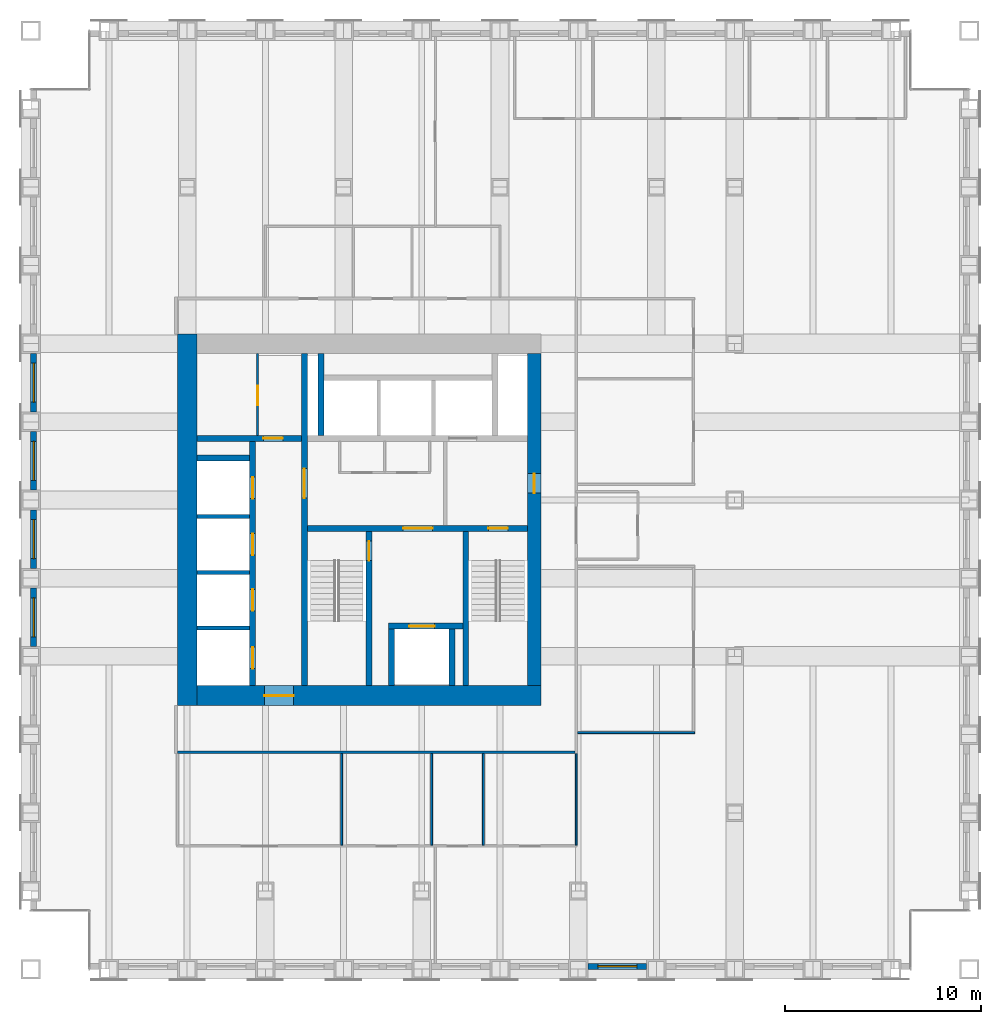
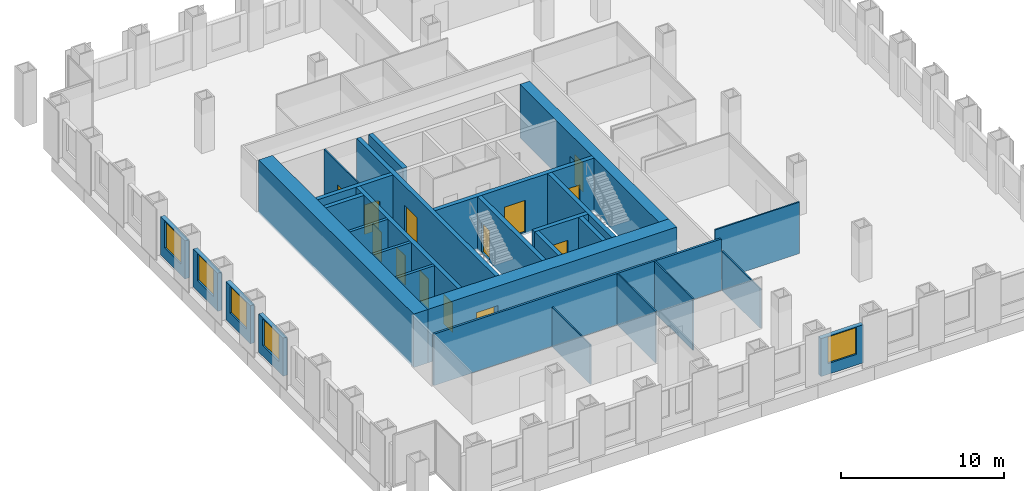
# One storey, part 11 of 15: 29 walls, 13 doors, 5 windows, 18 openings.
"""IFC4 building model written with IfcOpenShell, lengths in metres."""

from ifc_helpers import new_model, si_unit, direction, frame, frame_2d, origin, place, context, subcontext, project, spatial, rectangle, extrude, material, layer, layer_set, type_object, element, fill, save


model = new_model("IFC4")

# Units and contexts
model_context = context("Model", 3, precision=1e-05, world=origin(), true_north=direction((0.0, 1.0)))
body_context = subcontext(model_context, "Body", "Model", "MODEL_VIEW")
ifc_project = project(units=[si_unit("LENGTHUNIT", "METRE"), si_unit("AREAUNIT", "SQUARE_METRE"), si_unit("VOLUMEUNIT", "CUBIC_METRE"), si_unit("PLANEANGLEUNIT", "RADIAN"), si_unit("MASSUNIT", "GRAM", prefix="KILO")], contexts=[model_context])

# Site, building, storey
site_placement = place(None, origin())
site = spatial("IfcSite", under=ifc_project, at=site_placement, CompositionType="ELEMENT")
building_placement = place(site_placement, origin())
building = spatial("IfcBuilding", under=site, at=building_placement, Name="Rimbunsela Tower", CompositionType="ELEMENT")
storey_placement = place(building_placement, frame((0.0, 0.0, 113.39990234375)))
storey = spatial("IfcBuildingStorey", under=building, at=storey_placement, Name="L27", CompositionType="ELEMENT", Elevation=113.39990234375)

# Wall, opening, door
ifc_material_1 = material(Name="Concrete fc' 80 MPa", Category="concrete")
ifc_layer_1 = layer(ifc_material_1, 0.300048828125)
ifc_layer_set_1 = layer_set([ifc_layer_1], Name="Core internal wall 300")
wall_type_1 = type_object("IfcWallType", Name="Core internal wall 300", PredefinedType="SHEAR", material=ifc_layer_set_1)
wall_1_placement = place(storey_placement, frame((24.0, 18.5, -0.14990234375), z_axis=(0.0, 0.0, 1.0), x_axis=(0.0, 1.0, 0.0)))
wall_1 = element("IfcWall", 1, at=wall_1_placement, inside=storey, type_object=wall_type_1, Name="Core wall at stair A", PredefinedType="SHEAR", context=body_context, shape_type="SweptSolid", body=[
    extrude(rectangle(XDim=17.0, YDim=0.300048828125, at=frame_2d((8.5, 0.0))), origin(), (0.0, 0.0, 1.0), 4.0),
])
opening_1_placement = place(wall_1_placement, frame((9.60009765625, 0.0, 0.14990234375)))
opening_1 = element("IfcOpeningElement", 2, at=opening_1_placement, cuts=wall_1, Name="Opening D03", PredefinedType="OPENING", context=body_context, shape_type="SweptSolid", body=[
    extrude(rectangle(XDim=1.5, YDim=2.39990234375, at=frame_2d((0.75, 1.199951171875))), frame((0.0, 0.159912109375, 0.0), z_axis=(0.0, -1.0, 0.0), x_axis=(1.0, 0.0, 0.0)), (0.0, 0.0, 1.0), 0.320068359375),
])
ifc_material_2 = material(Name="Steel door, fire rated", Category="steel")
door_type_1 = type_object("IfcDoorType", Name="Core lobby door 1500", OperationType="DOUBLE_DOOR_DOUBLE_SWING", PredefinedType="DOOR", material=ifc_material_2)
door_1_placement = place(opening_1_placement, origin())
door_1 = element("IfcDoor", 3, at=door_1_placement, inside=storey, type_object=door_type_1, Name="West lobby door", OperationType="DOUBLE_DOOR_DOUBLE_SWING", OverallHeight=2.39990234375, OverallWidth=1.5, PredefinedType="DOOR", context=body_context, shape_type="SweptSolid", body=[
    extrude(rectangle(XDim=1.5, YDim=2.39990234375, at=frame_2d((0.75, 1.199951171875))), frame((0.0, 0.02490234375, 0.0), z_axis=(0.0, -1.0, 0.0), x_axis=(1.0, 0.0, 0.0)), (0.0, 0.0, 1.0), 0.050048828125),
])
fill(opening_1, door_1)

# Wall, openings, doors
wall_2_placement = place(storey_placement, frame((24.14990234375, 26.550048828125, -0.14990234375), z_axis=(0.0, 0.0, 1.0), x_axis=(1.0, 0.0, 0.0)))
wall_2 = element("IfcWall", 4, at=wall_2_placement, inside=storey, type_object=wall_type_1, Name="Core wall lobby south", PredefinedType="SHEAR", context=body_context, shape_type="SweptSolid", body=[
    extrude(rectangle(XDim=11.25, YDim=0.300048828125, at=frame_2d((5.625, 0.0))), origin(), (0.0, 0.0, 1.0), 4.0),
])
opening_2_placement = place(wall_2_placement, frame((9.25, 0.0, 0.14990234375)))
opening_2 = element("IfcOpeningElement", 5, at=opening_2_placement, cuts=wall_2, Name="Opening D01", PredefinedType="OPENING", context=body_context, shape_type="SweptSolid", body=[
    extrude(rectangle(XDim=1.0, YDim=2.199951171875, at=frame_2d((0.5, 1.10009765625))), frame((0.0, 0.159912109375, 0.0), z_axis=(0.0, -1.0, 0.0), x_axis=(1.0, 0.0, 0.0)), (0.0, 0.0, 1.0), 0.320068359375),
])
opening_3_placement = place(wall_2_placement, frame((4.89990234375, 0.0, 0.14990234375)))
opening_3 = element("IfcOpeningElement", 6, at=opening_3_placement, cuts=wall_2, Name="Opening D03", PredefinedType="OPENING", context=body_context, shape_type="SweptSolid", body=[
    extrude(rectangle(XDim=1.5, YDim=2.39990234375, at=frame_2d((0.75, 1.199951171875))), frame((0.0, 0.159912109375, 0.0), z_axis=(0.0, -1.0, 0.0), x_axis=(1.0, 0.0, 0.0)), (0.0, 0.0, 1.0), 0.320068359375),
])
door_2_placement = place(opening_3_placement, origin())
door_2 = element("IfcDoor", 7, at=door_2_placement, inside=storey, type_object=door_type_1, Name="Firefighting lobby door", OperationType="DOUBLE_DOOR_DOUBLE_SWING", OverallHeight=2.39990234375, OverallWidth=1.5, PredefinedType="DOOR", context=body_context, shape_type="SweptSolid", body=[
    extrude(rectangle(XDim=1.5, YDim=2.39990234375, at=frame_2d((0.75, 1.199951171875))), frame((0.0, 0.02490234375, 0.0), z_axis=(0.0, -1.0, 0.0), x_axis=(1.0, 0.0, 0.0)), (0.0, 0.0, 1.0), 0.050048828125),
])
fill(opening_3, door_2)
ifc_material_3 = material(Name="Steel door, fire rated", Category="steel")
door_type_2 = type_object("IfcDoorType", Name="Stair door 1000", OperationType="SINGLE_SWING_RIGHT", PredefinedType="DOOR", material=ifc_material_3)
door_3_placement = place(opening_2_placement, frame((1.0, 0.0, 0.0), z_axis=(0.0, 0.0, 1.0), x_axis=(-1.0, 0.0, 0.0)))
door_3 = element("IfcDoor", 8, at=door_3_placement, inside=storey, type_object=door_type_2, Name="Stair B door", OperationType="SINGLE_SWING_RIGHT", OverallHeight=2.199951171875, OverallWidth=1.0, PredefinedType="DOOR", context=body_context, shape_type="SweptSolid", body=[
    extrude(rectangle(XDim=1.0, YDim=2.199951171875, at=frame_2d((0.5, 1.10009765625))), frame((0.0, 0.02490234375, 0.0), z_axis=(0.0, -1.0, 0.0), x_axis=(1.0, 0.0, 0.0)), (0.0, 0.0, 1.0), 0.050048828125),
])
fill(opening_2, door_3)

# Wall, opening, door
wall_3_placement = place(storey_placement, frame((27.300048828125, 18.5, -0.14990234375), z_axis=(0.0, 0.0, 1.0), x_axis=(0.0, 1.0, 0.0)))
wall_3 = element("IfcWall", 9, at=wall_3_placement, inside=storey, type_object=wall_type_1, Name="Stair A enclosure", PredefinedType="SHEAR", context=body_context, shape_type="SweptSolid", body=[
    extrude(rectangle(XDim=7.89990234375, YDim=0.300048828125, at=frame_2d((3.949951171875, 0.0))), origin(), (0.0, 0.0, 1.0), 4.0),
])
opening_4_placement = place(wall_3_placement, frame((6.39990234375, 0.0, 0.14990234375)))
opening_4 = element("IfcOpeningElement", 10, at=opening_4_placement, cuts=wall_3, Name="Opening D01", PredefinedType="OPENING", context=body_context, shape_type="SweptSolid", body=[
    extrude(rectangle(XDim=1.0, YDim=2.199951171875, at=frame_2d((0.5, 1.10009765625))), frame((0.0, 0.159912109375, 0.0), z_axis=(0.0, -1.0, 0.0), x_axis=(1.0, 0.0, 0.0)), (0.0, 0.0, 1.0), 0.320068359375),
])
door_4_placement = place(opening_4_placement, origin())
door_4 = element("IfcDoor", 11, at=door_4_placement, inside=storey, type_object=door_type_2, Name="Stair A door", OperationType="SINGLE_SWING_RIGHT", OverallHeight=2.199951171875, OverallWidth=1.0, PredefinedType="DOOR", context=body_context, shape_type="SweptSolid", body=[
    extrude(rectangle(XDim=1.0, YDim=2.199951171875, at=frame_2d((0.5, 1.10009765625))), frame((0.0, 0.02490234375, 0.0), z_axis=(0.0, -1.0, 0.0), x_axis=(1.0, 0.0, 0.0)), (0.0, 0.0, 1.0), 0.050048828125),
])
fill(opening_4, door_4)

# Walls
wall_4_placement = place(storey_placement, frame((32.25, 18.5, -0.14990234375), z_axis=(0.0, 0.0, 1.0), x_axis=(0.0, 1.0, 0.0)))
element("IfcWall", 12, at=wall_4_placement, inside=storey, type_object=wall_type_1, Name="Stair B enclosure", PredefinedType="SHEAR", context=body_context, shape_type="SweptSolid", body=[
    extrude(rectangle(XDim=7.89990234375, YDim=0.300048828125, at=frame_2d((3.949951171875, 0.0))), origin(), (0.0, 0.0, 1.0), 4.0),
])
for number, where, z_axis, x_axis, name in (
    (13, (28.449951171875, 18.5, -0.14990234375), (0.0, 0.0, 1.0), (0.0, 1.0, 0.0), "Firefighting lift shaft west"),
    (14, (31.550048828125, 18.5, -0.14990234375), (0.0, 0.0, 1.0), (0.0, 1.0, 0.0), "Firefighting lift shaft east"),
):
    element("IfcWall", number, at=place(storey_placement, frame(where, z_axis=z_axis, x_axis=x_axis)), inside=storey, type_object=wall_type_1, Name=name, PredefinedType="SHEAR", context=body_context, shape_type="SweptSolid", body=[
        extrude(rectangle(XDim=2.89990234375, YDim=0.300048828125, at=frame_2d((1.449951171875, 0.0))), origin(), (0.0, 0.0, 1.0), 4.0),
    ])

# Wall, opening, door
wall_5_placement = place(storey_placement, frame((28.300048828125, 21.550048828125, -0.14990234375), z_axis=(0.0, 0.0, 1.0), x_axis=(1.0, 0.0, 0.0)))
wall_5 = element("IfcWall", 15, at=wall_5_placement, inside=storey, type_object=wall_type_1, Name="Firefighting lift shaft front", PredefinedType="SHEAR", context=body_context, shape_type="SweptSolid", body=[
    extrude(rectangle(XDim=3.800048828125, YDim=0.300048828125, at=frame_2d((1.89990234375, 0.0))), origin(), (0.0, 0.0, 1.0), 4.0),
])
opening_5_placement = place(wall_5_placement, frame((1.050048828125, 0.0, 0.14990234375)))
opening_5 = element("IfcOpeningElement", 16, at=opening_5_placement, cuts=wall_5, Name="Opening LD2", PredefinedType="OPENING", context=body_context, shape_type="SweptSolid", body=[
    extrude(rectangle(XDim=1.300048828125, YDim=2.39990234375, at=frame_2d((0.64990234375, 1.199951171875))), frame((0.0, 0.159912109375, 0.0), z_axis=(0.0, -1.0, 0.0), x_axis=(1.0, 0.0, 0.0)), (0.0, 0.0, 1.0), 0.320068359375),
])
ifc_material_4 = material(Name="Steel door, fire rated", Category="steel")
door_type_3 = type_object("IfcDoorType", Name="Lift landing door 1300", OperationType="DOUBLE_DOOR_SLIDING", PredefinedType="DOOR", material=ifc_material_4)
door_5_placement = place(opening_5_placement, origin())
door_5 = element("IfcDoor", 17, at=door_5_placement, inside=storey, type_object=door_type_3, Name="Lift landing door FL1", OperationType="DOUBLE_DOOR_SLIDING", OverallHeight=2.39990234375, OverallWidth=1.300048828125, PredefinedType="DOOR", context=body_context, shape_type="SweptSolid", body=[
    extrude(rectangle(XDim=1.300048828125, YDim=2.39990234375, at=frame_2d((0.64990234375, 1.199951171875))), frame((0.0, 0.02490234375, 0.0), z_axis=(0.0, -1.0, 0.0), x_axis=(1.0, 0.0, 0.0)), (0.0, 0.0, 1.0), 0.050048828125),
])
fill(opening_5, door_5)

# Wall, openings, doors
wall_6_placement = place(storey_placement, frame((21.35009765625, 18.5, -0.14990234375), z_axis=(0.0, 0.0, 1.0), x_axis=(0.0, 1.0, 0.0)))
wall_6 = element("IfcWall", 18, at=wall_6_placement, inside=storey, type_object=wall_type_1, Name="Lift shaft front west", PredefinedType="SHEAR", context=body_context, shape_type="SweptSolid", body=[
    extrude(rectangle(XDim=12.5, YDim=0.300048828125, at=frame_2d((6.25, 0.0))), origin(), (0.0, 0.0, 1.0), 4.0),
])
opening_6_placement = place(wall_6_placement, frame((0.875, 0.0, 0.14990234375)))
opening_6 = element("IfcOpeningElement", 19, at=opening_6_placement, cuts=wall_6, Name="Opening LD1", PredefinedType="OPENING", context=body_context, shape_type="SweptSolid", body=[
    extrude(rectangle(XDim=1.10009765625, YDim=2.199951171875, at=frame_2d((0.550048828125, 1.10009765625))), frame((0.0, 0.159912109375, 0.0), z_axis=(0.0, -1.0, 0.0), x_axis=(1.0, 0.0, 0.0)), (0.0, 0.0, 1.0), 0.320068359375),
])
opening_7_placement = place(wall_6_placement, frame((3.824951171875, 0.0, 0.14990234375)))
opening_7 = element("IfcOpeningElement", 20, at=opening_7_placement, cuts=wall_6, Name="Opening LD1", PredefinedType="OPENING", context=body_context, shape_type="SweptSolid", body=[
    extrude(rectangle(XDim=1.10009765625, YDim=2.199951171875, at=frame_2d((0.550048828125, 1.10009765625))), frame((0.0, 0.159912109375, 0.0), z_axis=(0.0, -1.0, 0.0), x_axis=(1.0, 0.0, 0.0)), (0.0, 0.0, 1.0), 0.320068359375),
])
opening_8_placement = place(wall_6_placement, frame((6.675048828125, 0.0, 0.14990234375)))
opening_8 = element("IfcOpeningElement", 21, at=opening_8_placement, cuts=wall_6, Name="Opening LD1", PredefinedType="OPENING", context=body_context, shape_type="SweptSolid", body=[
    extrude(rectangle(XDim=1.10009765625, YDim=2.199951171875, at=frame_2d((0.550048828125, 1.10009765625))), frame((0.0, 0.159912109375, 0.0), z_axis=(0.0, -1.0, 0.0), x_axis=(1.0, 0.0, 0.0)), (0.0, 0.0, 1.0), 0.320068359375),
])
opening_9_placement = place(wall_6_placement, frame((9.574951171875, 0.0, 0.14990234375)))
opening_9 = element("IfcOpeningElement", 22, at=opening_9_placement, cuts=wall_6, Name="Opening LD1", PredefinedType="OPENING", context=body_context, shape_type="SweptSolid", body=[
    extrude(rectangle(XDim=1.10009765625, YDim=2.199951171875, at=frame_2d((0.550048828125, 1.10009765625))), frame((0.0, 0.159912109375, 0.0), z_axis=(0.0, -1.0, 0.0), x_axis=(1.0, 0.0, 0.0)), (0.0, 0.0, 1.0), 0.320068359375),
])
ifc_material_5 = material(Name="Steel door, fire rated", Category="steel")
door_type_4 = type_object("IfcDoorType", Name="Lift landing door 1100", OperationType="DOUBLE_DOOR_SLIDING", PredefinedType="DOOR", material=ifc_material_5)
door_6_placement = place(opening_6_placement, origin())
door_6 = element("IfcDoor", 23, at=door_6_placement, inside=storey, type_object=door_type_4, Name="Lift landing door ML1", OperationType="DOUBLE_DOOR_SLIDING", OverallHeight=2.199951171875, OverallWidth=1.10009765625, PredefinedType="DOOR", context=body_context, shape_type="SweptSolid", body=[
    extrude(rectangle(XDim=1.10009765625, YDim=2.199951171875, at=frame_2d((0.550048828125, 1.10009765625))), frame((0.0, 0.02490234375, 0.0), z_axis=(0.0, -1.0, 0.0), x_axis=(1.0, 0.0, 0.0)), (0.0, 0.0, 1.0), 0.050048828125),
])
fill(opening_6, door_6)
door_7_placement = place(opening_7_placement, origin())
door_7 = element("IfcDoor", 24, at=door_7_placement, inside=storey, type_object=door_type_4, Name="Lift landing door ML2", OperationType="DOUBLE_DOOR_SLIDING", OverallHeight=2.199951171875, OverallWidth=1.10009765625, PredefinedType="DOOR", context=body_context, shape_type="SweptSolid", body=[
    extrude(rectangle(XDim=1.10009765625, YDim=2.199951171875, at=frame_2d((0.550048828125, 1.10009765625))), frame((0.0, 0.02490234375, 0.0), z_axis=(0.0, -1.0, 0.0), x_axis=(1.0, 0.0, 0.0)), (0.0, 0.0, 1.0), 0.050048828125),
])
fill(opening_7, door_7)
door_8_placement = place(opening_8_placement, origin())
door_8 = element("IfcDoor", 25, at=door_8_placement, inside=storey, type_object=door_type_4, Name="Lift landing door ML3", OperationType="DOUBLE_DOOR_SLIDING", OverallHeight=2.199951171875, OverallWidth=1.10009765625, PredefinedType="DOOR", context=body_context, shape_type="SweptSolid", body=[
    extrude(rectangle(XDim=1.10009765625, YDim=2.199951171875, at=frame_2d((0.550048828125, 1.10009765625))), frame((0.0, 0.02490234375, 0.0), z_axis=(0.0, -1.0, 0.0), x_axis=(1.0, 0.0, 0.0)), (0.0, 0.0, 1.0), 0.050048828125),
])
fill(opening_8, door_8)
door_9_placement = place(opening_9_placement, origin())
door_9 = element("IfcDoor", 26, at=door_9_placement, inside=storey, type_object=door_type_4, Name="Lift landing door ML4", OperationType="DOUBLE_DOOR_SLIDING", OverallHeight=2.199951171875, OverallWidth=1.10009765625, PredefinedType="DOOR", context=body_context, shape_type="SweptSolid", body=[
    extrude(rectangle(XDim=1.10009765625, YDim=2.199951171875, at=frame_2d((0.550048828125, 1.10009765625))), frame((0.0, 0.02490234375, 0.0), z_axis=(0.0, -1.0, 0.0), x_axis=(1.0, 0.0, 0.0)), (0.0, 0.0, 1.0), 0.050048828125),
])
fill(opening_9, door_9)

# Wall, opening, door
wall_7_placement = place(storey_placement, frame((18.5, 31.14990234375, -0.14990234375), z_axis=(0.0, 0.0, 1.0), x_axis=(1.0, 0.0, 0.0)))
wall_7 = element("IfcWall", 27, at=wall_7_placement, inside=storey, type_object=wall_type_1, Name="Store wall", PredefinedType="SHEAR", context=body_context, shape_type="SweptSolid", body=[
    extrude(rectangle(XDim=5.35009765625, YDim=0.300048828125, at=frame_2d((2.675048828125, 0.0))), origin(), (0.0, 0.0, 1.0), 4.0),
])
opening_10_placement = place(wall_7_placement, frame((3.39990234375, 0.0, 0.14990234375)))
opening_10 = element("IfcOpeningElement", 28, at=opening_10_placement, cuts=wall_7, Name="Opening D19", PredefinedType="OPENING", context=body_context, shape_type="SweptSolid", body=[
    extrude(rectangle(XDim=1.0, YDim=2.199951171875, at=frame_2d((0.5, 1.10009765625))), frame((0.0, 0.159912109375, 0.0), z_axis=(0.0, -1.0, 0.0), x_axis=(1.0, 0.0, 0.0)), (0.0, 0.0, 1.0), 0.320068359375),
])
ifc_material_6 = material(Name="Steel door, fire rated", Category="steel")
door_type_5 = type_object("IfcDoorType", Name="Service door 1000 fire rated", OperationType="SINGLE_SWING_LEFT", PredefinedType="DOOR", material=ifc_material_6)
door_10_placement = place(opening_10_placement, origin())
door_10 = element("IfcDoor", 29, at=door_10_placement, inside=storey, type_object=door_type_5, Name="Staff pantry door", OperationType="SINGLE_SWING_LEFT", OverallHeight=2.199951171875, OverallWidth=1.0, PredefinedType="DOOR", context=body_context, shape_type="SweptSolid", body=[
    extrude(rectangle(XDim=1.0, YDim=2.199951171875, at=frame_2d((0.5, 1.10009765625))), frame((0.0, 0.02490234375, 0.0), z_axis=(0.0, -1.0, 0.0), x_axis=(1.0, 0.0, 0.0)), (0.0, 0.0, 1.0), 0.050048828125),
])
fill(opening_10, door_10)

# Walls
wall_8_placement = place(storey_placement, frame((18.5, 30.14990234375, -0.14990234375), z_axis=(0.0, 0.0, 1.0), x_axis=(1.0, 0.0, 0.0)))
element("IfcWall", 30, at=wall_8_placement, inside=storey, type_object=wall_type_1, Name="Lift shaft rear west", PredefinedType="SHEAR", context=body_context, shape_type="SweptSolid", body=[
    extrude(rectangle(XDim=2.699951171875, YDim=0.300048828125, at=frame_2d((1.35009765625, 0.0))), origin(), (0.0, 0.0, 1.0), 4.0),
])
wall_9_placement = place(storey_placement, frame((24.85009765625, 31.300048828125, -0.14990234375), z_axis=(0.0, 0.0, 1.0), x_axis=(0.0, 1.0, 0.0)))
element("IfcWall", 31, at=wall_9_placement, inside=storey, type_object=wall_type_1, Name="Riser wall", PredefinedType="SHEAR", context=body_context, shape_type="SweptSolid", body=[
    extrude(rectangle(XDim=4.199951171875, YDim=0.300048828125, at=frame_2d((2.10009765625, 0.0))), origin(), (0.0, 0.0, 1.0), 4.0),
])

# Wall, opening, door
ifc_material_7 = material(Name="Concrete blockwork", Category="masonry")
ifc_layer_2 = layer(ifc_material_7, 0.10009765625)
ifc_layer_set_2 = layer_set([ifc_layer_2], Name="Core room partition 100")
wall_type_2 = type_object("IfcWallType", Name="Core room partition 100", PredefinedType="PARTITIONING", material=ifc_layer_set_2)
wall_10_placement = place(storey_placement, frame((21.60009765625, 31.300048828125, 0.0), z_axis=(0.0, 0.0, 1.0), x_axis=(0.0, 1.0, 0.0)))
wall_10 = element("IfcWall", 32, at=wall_10_placement, inside=storey, type_object=wall_type_2, Name="Housekeeping store wall", PredefinedType="PARTITIONING", context=body_context, shape_type="SweptSolid", body=[
    extrude(rectangle(XDim=4.199951171875, YDim=0.10009765625, at=frame_2d((2.10009765625, 0.0))), origin(), (0.0, 0.0, 1.0), 3.85009765625),
])
opening_11_placement = place(wall_10_placement, frame((1.550048828125, 0.0, 0.0)))
opening_11 = element("IfcOpeningElement", 33, at=opening_11_placement, cuts=wall_10, Name="Opening D19", PredefinedType="OPENING", context=body_context, shape_type="SweptSolid", body=[
    extrude(rectangle(XDim=1.0, YDim=2.199951171875, at=frame_2d((0.5, 1.10009765625))), frame((0.0, 0.06005859375, 0.0), z_axis=(0.0, -1.0, 0.0), x_axis=(1.0, 0.0, 0.0)), (0.0, 0.0, 1.0), 0.1201171875),
])
door_11_placement = place(opening_11_placement, origin())
door_11 = element("IfcDoor", 34, at=door_11_placement, inside=storey, type_object=door_type_5, Name="Housekeeping store door", OperationType="SINGLE_SWING_LEFT", OverallHeight=2.199951171875, OverallWidth=1.0, PredefinedType="DOOR", context=body_context, shape_type="SweptSolid", body=[
    extrude(rectangle(XDim=1.0, YDim=2.199951171875, at=frame_2d((0.5, 1.10009765625))), frame((0.0, 0.02490234375, 0.0), z_axis=(0.0, -1.0, 0.0), x_axis=(1.0, 0.0, 0.0)), (0.0, 0.0, 1.0), 0.050048828125),
])
fill(opening_11, door_11)

# Wall
ifc_material_8 = material(Name="Concrete fc' 80 MPa", Category="concrete")
ifc_layer_3 = layer(ifc_material_8, 1.0)
ifc_layer_set_3 = layer_set([ifc_layer_3], Name="Core wall 1000")
wall_type_3 = type_object("IfcWallType", Name="Core wall 1000", PredefinedType="SHEAR", material=ifc_layer_set_3)
wall_11_placement = place(storey_placement, frame((18.0, 17.5, -0.14990234375), z_axis=(0.0, 0.0, 1.0), x_axis=(0.0, 1.0, 0.0)))
element("IfcWall", 35, at=wall_11_placement, inside=storey, type_object=wall_type_3, Name="Core wall west", PredefinedType="SHEAR", context=body_context, shape_type="SweptSolid", body=[
    extrude(rectangle(XDim=19.0, YDim=1.0, at=frame_2d((9.5, 0.0))), origin(), (0.0, 0.0, 1.0), 4.0),
])

# Wall, opening, door
wall_12_placement = place(storey_placement, frame((18.5, 18.0, -0.14990234375), z_axis=(0.0, 0.0, 1.0), x_axis=(1.0, 0.0, 0.0)))
wall_12 = element("IfcWall", 36, at=wall_12_placement, inside=storey, type_object=wall_type_3, Name="Core wall south", PredefinedType="SHEAR", context=body_context, shape_type="SweptSolid", body=[
    extrude(rectangle(XDim=17.60009765625, YDim=1.0, at=frame_2d((8.800048828125, 0.0))), origin(), (0.0, 0.0, 1.0), 4.0),
])
opening_12_placement = place(wall_12_placement, frame((3.449951171875, 0.0, 0.14990234375)))
opening_12 = element("IfcOpeningElement", 37, at=opening_12_placement, cuts=wall_12, Name="Opening D03", PredefinedType="OPENING", context=body_context, shape_type="SweptSolid", body=[
    extrude(rectangle(XDim=1.5, YDim=2.39990234375, at=frame_2d((0.75, 1.199951171875))), frame((0.0, 0.510009765625, 0.0), z_axis=(0.0, -1.0, 0.0), x_axis=(1.0, 0.0, 0.0)), (0.0, 0.0, 1.0), 1.02001953125),
])
door_12_placement = place(opening_12_placement, origin())
door_12 = element("IfcDoor", 38, at=door_12_placement, inside=storey, type_object=door_type_1, Name="Core door south", OperationType="DOUBLE_DOOR_DOUBLE_SWING", OverallHeight=2.39990234375, OverallWidth=1.5, PredefinedType="DOOR", context=body_context, shape_type="SweptSolid", body=[
    extrude(rectangle(XDim=1.5, YDim=2.39990234375, at=frame_2d((0.75, 1.199951171875))), frame((0.0, 0.02490234375, 0.0), z_axis=(0.0, -1.0, 0.0), x_axis=(1.0, 0.0, 0.0)), (0.0, 0.0, 1.0), 0.050048828125),
])
fill(opening_12, door_12)

ifc_material_9 = material(Name="Concrete fc' 80 MPa", Category="concrete")
ifc_layer_4 = layer(ifc_material_9, 0.699951171875)
ifc_layer_set_4 = layer_set([ifc_layer_4], Name="Core wall 700 east")
wall_type_4 = type_object("IfcWallType", Name="Core wall 700 east", PredefinedType="SHEAR", material=ifc_layer_set_4)
wall_13_placement = place(storey_placement, frame((35.75, 18.5, -0.14990234375), z_axis=(0.0, 0.0, 1.0), x_axis=(0.0, 1.0, 0.0)))
wall_13 = element("IfcWall", 39, at=wall_13_placement, inside=storey, type_object=wall_type_4, Name="Core wall east", PredefinedType="SHEAR", context=body_context, shape_type="SweptSolid", body=[
    extrude(rectangle(XDim=17.0, YDim=0.699951171875, at=frame_2d((8.5, 0.0))), origin(), (0.0, 0.0, 1.0), 4.0),
])
opening_13_placement = place(wall_13_placement, frame((9.85009765625, 0.0, 0.14990234375)))
opening_13 = element("IfcOpeningElement", 40, at=opening_13_placement, cuts=wall_13, Name="Opening D01", PredefinedType="OPENING", context=body_context, shape_type="SweptSolid", body=[
    extrude(rectangle(XDim=1.0, YDim=2.199951171875, at=frame_2d((0.5, 1.10009765625))), frame((0.0, 0.35986328125, 0.0), z_axis=(0.0, -1.0, 0.0), x_axis=(1.0, 0.0, 0.0)), (0.0, 0.0, 1.0), 0.719970703125),
])
door_13_placement = place(opening_13_placement, origin())
door_13 = element("IfcDoor", 41, at=door_13_placement, inside=storey, type_object=door_type_2, Name="Firefighting lobby 2 door", OperationType="SINGLE_SWING_RIGHT", OverallHeight=2.199951171875, OverallWidth=1.0, PredefinedType="DOOR", context=body_context, shape_type="SweptSolid", body=[
    extrude(rectangle(XDim=1.0, YDim=2.199951171875, at=frame_2d((0.5, 1.10009765625))), frame((0.0, 0.02490234375, 0.0), z_axis=(0.0, -1.0, 0.0), x_axis=(1.0, 0.0, 0.0)), (0.0, 0.0, 1.0), 0.050048828125),
])
fill(opening_13, door_13)

# Walls
ifc_material_10 = material(Name="Concrete blockwork", Category="masonry")
ifc_layer_5 = layer(ifc_material_10, 0.199951171875)
ifc_layer_set_5 = layer_set([ifc_layer_5], Name="Lift shaft wall 200")
wall_type_5 = type_object("IfcWallType", Name="Lift shaft wall 200", PredefinedType="SOLIDWALL", material=ifc_layer_set_5)
for number, where, z_axis, x_axis, name in (
    (42, (18.5, 21.449951171875, -0.14990234375), (0.0, 0.0, 1.0), (1.0, 0.0, 0.0), "Lift shaft separation"),
    (43, (18.5, 24.300048828125, -0.14990234375), (0.0, 0.0, 1.0), (1.0, 0.0, 0.0), "Lift shaft separation"),
    (44, (18.5, 27.14990234375, -0.14990234375), (0.0, 0.0, 1.0), (1.0, 0.0, 0.0), "Lift shaft separation"),
):
    element("IfcWall", number, at=place(storey_placement, frame(where, z_axis=z_axis, x_axis=x_axis)), inside=storey, type_object=wall_type_5, Name=name, PredefinedType="SOLIDWALL", context=body_context, shape_type="SweptSolid", body=[
        extrude(rectangle(XDim=2.699951171875, YDim=0.199951171875, at=frame_2d((1.35009765625, 0.0))), origin(), (0.0, 0.0, 1.0), 4.0),
    ])
ifc_material_11 = material(Name="Gypsum board on steel studs", Category="steel")
ifc_layer_6 = layer(ifc_material_11, 0.10009765625)
ifc_layer_set_6 = layer_set([ifc_layer_6], Name="Office partition 100")
wall_type_6 = type_object("IfcWallType", Name="Office partition 100", PredefinedType="PARTITIONING", material=ifc_layer_set_6)
wall_14_placement = place(storey_placement, frame((37.97509765625, 16.10009765625, 0.0), z_axis=(0.0, 0.0, 1.0), x_axis=(1.0, 0.0, 0.0)))
element("IfcWall", 45, at=wall_14_placement, inside=storey, type_object=wall_type_6, Name="Office partition", PredefinedType="PARTITIONING", context=body_context, shape_type="SweptSolid", body=[
    extrude(rectangle(XDim=5.974853515625, YDim=0.10009765625, at=frame_2d((2.9873046875, 0.0))), origin(), (0.0, 0.0, 1.0), 3.85009765625),
])
wall_15_placement = place(storey_placement, frame((25.89990234375, 10.35009765625, 0.0), z_axis=(0.0, 0.0, 1.0), x_axis=(0.0, 1.0, 0.0)))
element("IfcWall", 46, at=wall_15_placement, inside=storey, type_object=wall_type_6, Name="Office partition", PredefinedType="PARTITIONING", context=body_context, shape_type="SweptSolid", body=[
    extrude(rectangle(XDim=4.6748046875, YDim=0.10009765625, at=frame_2d((2.33740234375, 0.0))), origin(), (0.0, 0.0, 1.0), 2.9501953125),
])
for number, where, z_axis, x_axis, name in (
    (47, (30.5, 10.35009765625, 0.0), (0.0, 0.0, 1.0), (0.0, 1.0, 0.0), "Office partition"),
    (48, (33.14990234375, 10.35009765625, 0.0), (0.0, 0.0, 1.0), (0.0, 1.0, 0.0), "Office partition"),
):
    element("IfcWall", number, at=place(storey_placement, frame(where, z_axis=z_axis, x_axis=x_axis)), inside=storey, type_object=wall_type_6, Name=name, PredefinedType="PARTITIONING", context=body_context, shape_type="SweptSolid", body=[
        extrude(rectangle(XDim=4.6748046875, YDim=0.10009765625, at=frame_2d((2.33740234375, 0.0))), origin(), (0.0, 0.0, 1.0), 3.85009765625),
    ])
wall_16_placement = place(storey_placement, frame((37.89990234375, 10.35009765625, 0.0), z_axis=(0.0, 0.0, 1.0), x_axis=(0.0, 1.0, 0.0)))
element("IfcWall", 49, at=wall_16_placement, inside=storey, type_object=wall_type_6, Name="Office partition", PredefinedType="PARTITIONING", context=body_context, shape_type="SweptSolid", body=[
    extrude(rectangle(XDim=4.6748046875, YDim=0.10009765625, at=frame_2d((2.33740234375, 0.0))), origin(), (0.0, 0.0, 1.0), 2.9501953125),
])

# Wall, opening, window
ifc_material_12 = material(Name="Precast concrete fc' 35 MPa", Category="concrete")
ifc_layer_7 = layer(ifc_material_12, 0.300048828125)
ifc_layer_set_7 = layer_set([ifc_layer_7], Name="Precast concrete fc' 35 MPa")
wall_type_7 = type_object("IfcWallType", Name="Precast facade panel 300", PredefinedType="ELEMENTEDWALL", material=ifc_layer_set_7)
wall_17_placement = place(storey_placement, frame((38.5, 4.14990234375, 0.0), z_axis=(0.0, 0.0, 1.0), x_axis=(1.0, 0.0, 0.0)))
wall_17 = element("IfcWall", 50, at=wall_17_placement, inside=storey, type_object=wall_type_7, Name="Facade panel S L27", PredefinedType="ELEMENTEDWALL", context=body_context, shape_type="SweptSolid", body=[
    extrude(rectangle(XDim=3.0, YDim=0.300048828125, at=frame_2d((1.5, 0.0))), origin(), (0.0, 0.0, 1.0), 2.85009765625),
])
opening_14_placement = place(wall_17_placement, frame((0.5, 0.0, 0.800048828125)))
opening_14 = element("IfcOpeningElement", 51, at=opening_14_placement, cuts=wall_17, Name="Opening W1", PredefinedType="OPENING", context=body_context, shape_type="SweptSolid", body=[
    extrude(rectangle(XDim=2.0, YDim=2.0, at=frame_2d((1.0, 1.0))), frame((0.0, 0.159912109375, 0.0), z_axis=(0.0, -1.0, 0.0), x_axis=(1.0, 0.0, 0.0)), (0.0, 0.0, 1.0), 0.320068359375),
])
ifc_material_13 = material(Name="Clear glass in aluminium frame", Category="aluminium")
window_type = type_object("IfcWindowType", Name="Window W1 2000x2000", PartitioningType="DOUBLE_PANEL_VERTICAL", PredefinedType="WINDOW", material=ifc_material_13)
window_1_placement = place(opening_14_placement, origin())
window_1 = element("IfcWindow", 52, at=window_1_placement, inside=storey, type_object=window_type, Name="Window L27", OverallHeight=2.0, OverallWidth=2.0, PartitioningType="SINGLE_PANEL", PredefinedType="WINDOW", context=body_context, shape_type="SweptSolid", body=[
    extrude(rectangle(XDim=2.0, YDim=2.0, at=frame_2d((1.0, 1.0))), frame((0.0, 0.030029296875, 0.0), z_axis=(0.0, -1.0, 0.0), x_axis=(1.0, 0.0, 0.0)), (0.0, 0.0, 1.0), 0.06005859375),
])
fill(opening_14, window_1)

wall_18_placement = place(storey_placement, frame((10.14990234375, 23.5, 0.0), z_axis=(0.0, 0.0, 1.0), x_axis=(0.0, -1.0, 0.0)))
wall_18 = element("IfcWall", 53, at=wall_18_placement, inside=storey, type_object=wall_type_7, Name="Facade panel W L27", PredefinedType="ELEMENTEDWALL", context=body_context, shape_type="SweptSolid", body=[
    extrude(rectangle(XDim=3.0, YDim=0.300048828125, at=frame_2d((1.5, 0.0))), origin(), (0.0, 0.0, 1.0), 2.85009765625),
])
opening_15_placement = place(wall_18_placement, frame((0.5, 0.0, 0.800048828125)))
opening_15 = element("IfcOpeningElement", 54, at=opening_15_placement, cuts=wall_18, Name="Opening W1", PredefinedType="OPENING", context=body_context, shape_type="SweptSolid", body=[
    extrude(rectangle(XDim=2.0, YDim=2.0, at=frame_2d((1.0, 1.0))), frame((0.0, 0.159912109375, 0.0), z_axis=(0.0, -1.0, 0.0), x_axis=(1.0, 0.0, 0.0)), (0.0, 0.0, 1.0), 0.320068359375),
])
window_2_placement = place(opening_15_placement, origin())
window_2 = element("IfcWindow", 55, at=window_2_placement, inside=storey, type_object=window_type, Name="Window L27", OverallHeight=2.0, OverallWidth=2.0, PartitioningType="SINGLE_PANEL", PredefinedType="WINDOW", context=body_context, shape_type="SweptSolid", body=[
    extrude(rectangle(XDim=2.0, YDim=2.0, at=frame_2d((1.0, 1.0))), frame((0.0, 0.030029296875, 0.0), z_axis=(0.0, -1.0, 0.0), x_axis=(1.0, 0.0, 0.0)), (0.0, 0.0, 1.0), 0.06005859375),
])
fill(opening_15, window_2)

wall_19_placement = place(storey_placement, frame((10.14990234375, 27.5, 0.0), z_axis=(0.0, 0.0, 1.0), x_axis=(0.0, -1.0, 0.0)))
wall_19 = element("IfcWall", 56, at=wall_19_placement, inside=storey, type_object=wall_type_7, Name="Facade panel W L27", PredefinedType="ELEMENTEDWALL", context=body_context, shape_type="SweptSolid", body=[
    extrude(rectangle(XDim=3.0, YDim=0.300048828125, at=frame_2d((1.5, 0.0))), origin(), (0.0, 0.0, 1.0), 2.85009765625),
])
opening_16_placement = place(wall_19_placement, frame((0.5, 0.0, 0.800048828125)))
opening_16 = element("IfcOpeningElement", 57, at=opening_16_placement, cuts=wall_19, Name="Opening W1", PredefinedType="OPENING", context=body_context, shape_type="SweptSolid", body=[
    extrude(rectangle(XDim=2.0, YDim=2.0, at=frame_2d((1.0, 1.0))), frame((0.0, 0.159912109375, 0.0), z_axis=(0.0, -1.0, 0.0), x_axis=(1.0, 0.0, 0.0)), (0.0, 0.0, 1.0), 0.320068359375),
])
window_3_placement = place(opening_16_placement, origin())
window_3 = element("IfcWindow", 58, at=window_3_placement, inside=storey, type_object=window_type, Name="Window L27", OverallHeight=2.0, OverallWidth=2.0, PartitioningType="SINGLE_PANEL", PredefinedType="WINDOW", context=body_context, shape_type="SweptSolid", body=[
    extrude(rectangle(XDim=2.0, YDim=2.0, at=frame_2d((1.0, 1.0))), frame((0.0, 0.030029296875, 0.0), z_axis=(0.0, -1.0, 0.0), x_axis=(1.0, 0.0, 0.0)), (0.0, 0.0, 1.0), 0.06005859375),
])
fill(opening_16, window_3)

wall_20_placement = place(storey_placement, frame((10.14990234375, 31.5, 0.0), z_axis=(0.0, 0.0, 1.0), x_axis=(0.0, -1.0, 0.0)))
wall_20 = element("IfcWall", 59, at=wall_20_placement, inside=storey, type_object=wall_type_7, Name="Facade panel W L27", PredefinedType="ELEMENTEDWALL", context=body_context, shape_type="SweptSolid", body=[
    extrude(rectangle(XDim=3.0, YDim=0.300048828125, at=frame_2d((1.5, 0.0))), origin(), (0.0, 0.0, 1.0), 2.85009765625),
])
opening_17_placement = place(wall_20_placement, frame((0.5, 0.0, 0.800048828125)))
opening_17 = element("IfcOpeningElement", 60, at=opening_17_placement, cuts=wall_20, Name="Opening W1", PredefinedType="OPENING", context=body_context, shape_type="SweptSolid", body=[
    extrude(rectangle(XDim=2.0, YDim=2.0, at=frame_2d((1.0, 1.0))), frame((0.0, 0.159912109375, 0.0), z_axis=(0.0, -1.0, 0.0), x_axis=(1.0, 0.0, 0.0)), (0.0, 0.0, 1.0), 0.320068359375),
])
window_4_placement = place(opening_17_placement, origin())
window_4 = element("IfcWindow", 61, at=window_4_placement, inside=storey, type_object=window_type, Name="Window L27", OverallHeight=2.0, OverallWidth=2.0, PartitioningType="SINGLE_PANEL", PredefinedType="WINDOW", context=body_context, shape_type="SweptSolid", body=[
    extrude(rectangle(XDim=2.0, YDim=2.0, at=frame_2d((1.0, 1.0))), frame((0.0, 0.030029296875, 0.0), z_axis=(0.0, -1.0, 0.0), x_axis=(1.0, 0.0, 0.0)), (0.0, 0.0, 1.0), 0.06005859375),
])
fill(opening_17, window_4)

wall_21_placement = place(storey_placement, frame((10.14990234375, 35.5, 0.0), z_axis=(0.0, 0.0, 1.0), x_axis=(0.0, -1.0, 0.0)))
wall_21 = element("IfcWall", 62, at=wall_21_placement, inside=storey, type_object=wall_type_7, Name="Facade panel W L27", PredefinedType="ELEMENTEDWALL", context=body_context, shape_type="SweptSolid", body=[
    extrude(rectangle(XDim=3.0, YDim=0.300048828125, at=frame_2d((1.5, 0.0))), origin(), (0.0, 0.0, 1.0), 2.85009765625),
])
opening_18_placement = place(wall_21_placement, frame((0.5, 0.0, 0.800048828125)))
opening_18 = element("IfcOpeningElement", 63, at=opening_18_placement, cuts=wall_21, Name="Opening W1", PredefinedType="OPENING", context=body_context, shape_type="SweptSolid", body=[
    extrude(rectangle(XDim=2.0, YDim=2.0, at=frame_2d((1.0, 1.0))), frame((0.0, 0.159912109375, 0.0), z_axis=(0.0, -1.0, 0.0), x_axis=(1.0, 0.0, 0.0)), (0.0, 0.0, 1.0), 0.320068359375),
])
window_5_placement = place(opening_18_placement, origin())
window_5 = element("IfcWindow", 64, at=window_5_placement, inside=storey, type_object=window_type, Name="Window L27", OverallHeight=2.0, OverallWidth=2.0, PartitioningType="SINGLE_PANEL", PredefinedType="WINDOW", context=body_context, shape_type="SweptSolid", body=[
    extrude(rectangle(XDim=2.0, YDim=2.0, at=frame_2d((1.0, 1.0))), frame((0.0, 0.030029296875, 0.0), z_axis=(0.0, -1.0, 0.0), x_axis=(1.0, 0.0, 0.0)), (0.0, 0.0, 1.0), 0.06005859375),
])
fill(opening_18, window_5)

# Wall
ifc_material_14 = material(Name="Fire-rated gypsum board on steel studs, EI 60", Category="steel")
ifc_layer_8 = layer(ifc_material_14, 0.14990234375)
ifc_layer_set_8 = layer_set([ifc_layer_8], Name="Rated corridor wall 150")
wall_type_8 = type_object("IfcWallType", Name="Rated corridor wall 150", PredefinedType="PARTITIONING", material=ifc_layer_set_8)
wall_22_placement = place(storey_placement, frame((17.5, 15.10009765625, 0.0), z_axis=(0.0, 0.0, 1.0), x_axis=(1.0, 0.0, 0.0)))
element("IfcWall", 65, at=wall_22_placement, inside=storey, type_object=wall_type_8, Name="Corridor wall south", PredefinedType="PARTITIONING", context=body_context, shape_type="SweptSolid", body=[
    extrude(rectangle(XDim=20.324951171875, YDim=0.14990234375, at=frame_2d((10.16259765625, 0.0))), origin(), (0.0, 0.0, 1.0), 3.85009765625),
])

save(model, "model.ifc")
